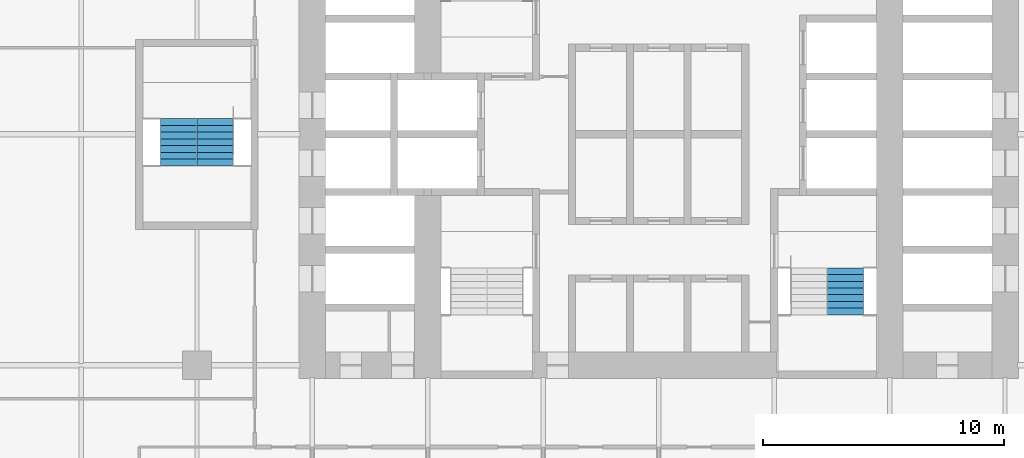
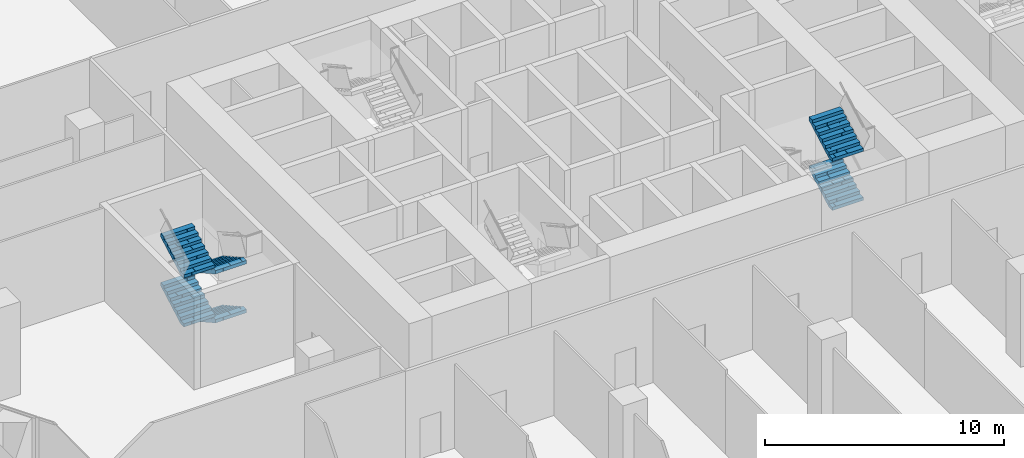
# One storey, part 25 of 29: 6 stair flights, 2 elements without a shape of their own.
"""IFC4 building model written with IfcOpenShell, lengths in metres."""

import ifcopenshell
import ifcopenshell.guid

model = None  # the IFC model being written
_history = None  # IfcOwnerHistory: only IFC2X3 demands one
_inside = {}  # id of a spatial element -> (the spatial element, [elements in it])
_under = {}  # id of a project, library or spatial element -> (it, [spatial elements below it])
_declared = {}  # id of a project -> (the project, [libraries it declares])
_typed = {}  # id of a type object -> (the type object, [elements of that type])
_made_of = {}  # id of a material, layer set ... -> (it, [elements and type objects made of it])


def new_model(schema):
    """Start an empty IFC model of exactly this schema.

    Asked for "IFC4X3", IfcOpenShell would pick the latest addendum, in which some entities
    have other attributes; the version numbers below select the first issue.
    IFC2X3 requires an IfcOwnerHistory on every rooted entity: one is made here for all.
    """
    global model, _history
    if schema == "IFC4X3":
        model = ifcopenshell.file(schema_version=(4, 3, 0, 0))
    else:
        model = ifcopenshell.file(schema=schema)
    _inside.clear()
    _under.clear()
    _declared.clear()
    _typed.clear()
    _made_of.clear()
    _history = None
    if model.schema == "IFC2X3":
        org = make("IfcOrganization", Name="unknown")
        user = make(
            "IfcPersonAndOrganization",
            ThePerson=make("IfcPerson", FamilyName="unknown"),
            TheOrganization=org,
        )
        app = make(
            "IfcApplication",
            ApplicationDeveloper=org,
            Version="unknown",
            ApplicationFullName="unknown",
            ApplicationIdentifier="unknown",
        )
        _history = make(
            "IfcOwnerHistory",
            OwningUser=user,
            OwningApplication=app,
            ChangeAction="ADDED",
            CreationDate=0,
        )
    return model


def make(cls, **values):
    """One entity of the class cls with the attributes given. An attribute that is None is left unset."""
    return model.create_entity(
        cls, **{name: value for name, value in values.items() if value is not None}
    )


def rooted(cls, **values):
    """An entity with a GlobalId (a new one), such as an element, a storey or a relation."""
    return make(cls, GlobalId=ifcopenshell.guid.new(), OwnerHistory=_history, **values)


def si_unit(unit_type, name, prefix=None):
    """IfcSIUnit, for example si_unit("LENGTHUNIT", "METRE", prefix="MILLI")."""
    return make("IfcSIUnit", UnitType=unit_type, Prefix=prefix, Name=name)


def assignment(units):
    """IfcUnitAssignment: the units of a project."""
    return None if units is None else make("IfcUnitAssignment", Units=units)


def point(xyz):
    """IfcCartesianPoint."""
    return None if xyz is None else make("IfcCartesianPoint", Coordinates=xyz)


def direction(xyz):
    """IfcDirection."""
    return None if xyz is None else make("IfcDirection", DirectionRatios=xyz)


def frame(location, z_axis=None, x_axis=None):
    """IfcAxis2Placement3D, a coordinate frame: its origin and axes. An axis left out is left unset."""
    return make(
        "IfcAxis2Placement3D",
        Location=point(location),
        Axis=direction(z_axis),
        RefDirection=direction(x_axis),
    )


def origin():
    """The frame at (0, 0, 0) with its axes left unset."""
    return frame((0.0, 0.0, 0.0))


def place(relative_to, where):
    """IfcLocalPlacement: puts the frame where relative to a parent placement (None: the world)."""
    return make(
        "IfcLocalPlacement", PlacementRelTo=relative_to, RelativePlacement=where
    )


def context(
    kind, dimensions, precision=None, world=None, true_north=None, identifier=None
):
    """IfcGeometricRepresentationContext, for example the 3D "Model" context."""
    return make(
        "IfcGeometricRepresentationContext",
        ContextIdentifier=identifier,
        ContextType=kind,
        CoordinateSpaceDimension=dimensions,
        Precision=precision,
        WorldCoordinateSystem=world,
        TrueNorth=true_north,
    )


def subcontext(parent, identifier, kind, view, scale=None):
    """IfcGeometricRepresentationSubContext, for example "Body" below "Model"."""
    return make(
        "IfcGeometricRepresentationSubContext",
        ContextIdentifier=identifier,
        ContextType=kind,
        ParentContext=parent,
        TargetScale=scale,
        TargetView=view,
    )


def project(units=None, contexts=None):
    """IfcProject with its units and contexts."""
    return rooted(
        "IfcProject",
        Name="project",
        RepresentationContexts=contexts,
        UnitsInContext=assignment(units),
    )


def spatial(cls, under=None, at=None, **own):
    """A site, building, storey or space (cls), placed at a placement, below another one or the project."""
    s = rooted(cls, ObjectPlacement=at, **own)
    if under is not None:
        _under.setdefault(under.id(), (under, []))[1].append(s)
    return s


def polyline(points):
    """IfcPolyline through the points."""
    return make("IfcPolyline", Points=[point(p) for p in points])


def outline(outer, holes=None, kind="AREA"):
    """IfcArbitraryClosedProfileDef: a profile drawn as a closed curve; with holes, ...WithVoids."""
    if holes is None:
        return make("IfcArbitraryClosedProfileDef", ProfileType=kind, OuterCurve=outer)
    return make(
        "IfcArbitraryProfileDefWithVoids",
        ProfileType=kind,
        OuterCurve=outer,
        InnerCurves=holes,
    )


def extrude(swept, where, along, depth):
    """IfcExtrudedAreaSolid: the profile swept, set in the frame where, extruded along a direction by depth."""
    return make(
        "IfcExtrudedAreaSolid",
        SweptArea=swept,
        Position=where,
        ExtrudedDirection=direction(along),
        Depth=depth,
    )


def shape(context_of_items, identifier, shape_type, items):
    """IfcShapeRepresentation: the items that make up one representation, for example the "Body"."""
    return make(
        "IfcShapeRepresentation",
        ContextOfItems=context_of_items,
        RepresentationIdentifier=identifier,
        RepresentationType=shape_type,
        Items=items,
    )


def material(Name=None, Category=None):
    """IfcMaterial."""
    return make("IfcMaterial", Name=Name, Category=Category)


def made_of(thing, what):
    """Note that an element or type object is made of a material, layer set ...; save() writes the relation."""
    if what is not None:
        _made_of.setdefault(what.id(), (what, []))[1].append(thing)
    return thing


def type_object(cls, material=None, **own):
    """A type object (cls), such as IfcWallType, which elements share."""
    return made_of(rooted(cls, **own), material)


def element(
    cls,
    number,
    at=None,
    inside=None,
    cuts=None,
    type_object=None,
    material=None,
    context=None,
    identifier="Body",
    shape_type=None,
    held_by="IfcProductDefinitionShape",
    body=None,
    shapes=None,
    **own,
):
    """One element of the class cls, such as IfcWall. Its Tag is "e" and its number.

    at: its placement. inside: the storey or other place that contains it. cuts: it is an
    opening in that element (IfcRelVoidsElement). A single representation is given by context,
    identifier, shape_type and body (its items); several are given by shapes. held_by: the class
    of the entity that holds the representations. save() writes the other relations.
    """
    e = rooted(cls, Tag="e%d" % number, ObjectPlacement=at, **own)
    if body is not None:
        shapes = [shape(context, identifier, shape_type, body)]
    if shapes is not None:
        e.Representation = make(held_by, Representations=shapes)
    if inside is not None:
        _inside.setdefault(inside.id(), (inside, []))[1].append(e)
    if cuts is not None:
        rooted(
            "IfcRelVoidsElement", RelatingBuildingElement=cuts, RelatedOpeningElement=e
        )
    if type_object is not None:
        _typed.setdefault(type_object.id(), (type_object, []))[1].append(e)
    return made_of(e, material)


def aggregate(whole, parts):
    """IfcRelAggregates: a whole, such as a stair, and the parts it consists of."""
    return rooted("IfcRelAggregates", RelatingObject=whole, RelatedObjects=parts)


def save(model, path):
    """Write the relations noted so far, then the file.

    IfcRelAggregates (storeys below a building ...), IfcRelContainedInSpatialStructure (elements
    in a storey), IfcRelDefinesByType, IfcRelAssociatesMaterial and IfcRelDeclares: one each for
    every whole, place, type object, material and project.
    """
    for whole, parts in _under.values():
        aggregate(whole, parts)
    for where, things in _inside.values():
        rooted(
            "IfcRelContainedInSpatialStructure",
            RelatedElements=things,
            RelatingStructure=where,
        )
    for kind, things in _typed.values():
        rooted("IfcRelDefinesByType", RelatedObjects=things, RelatingType=kind)
    for what, things in _made_of.values():
        rooted("IfcRelAssociatesMaterial", RelatedObjects=things, RelatingMaterial=what)
    for by, libraries in _declared.values():
        rooted("IfcRelDeclares", RelatingContext=by, RelatedDefinitions=libraries)
    model.write(path)


model = new_model("IFC4")

# Units and contexts
model_context = context("Model", 3, precision=1e-05, world=origin(), true_north=direction((0.0, 1.0)))
body_context = subcontext(model_context, "Body", "Model", "MODEL_VIEW")
ifc_project = project(units=[si_unit("LENGTHUNIT", "METRE"), si_unit("AREAUNIT", "SQUARE_METRE"), si_unit("VOLUMEUNIT", "CUBIC_METRE"), si_unit("PLANEANGLEUNIT", "RADIAN"), si_unit("MASSUNIT", "GRAM", prefix="KILO")], contexts=[model_context])

# Site, building, storey
site_placement = place(None, origin())
site = spatial("IfcSite", under=ifc_project, at=site_placement, CompositionType="ELEMENT")
building_placement = place(site_placement, origin())
building = spatial("IfcBuilding", under=site, at=building_placement, Name="Kolab Exchange Tower", CompositionType="ELEMENT")
storey_placement = place(building_placement, frame((0.0, 0.0, 17.39990234375)))
storey = spatial("IfcBuildingStorey", under=building, at=storey_placement, Name="L03", CompositionType="ELEMENT", Elevation=17.39990234375)

# Stair, stair flights
ifc_material = material(Name="Concrete C50/60", Category="concrete")
stair_type_1 = type_object("IfcStairType", Name="STAIR ST2 RISER 156.2", PredefinedType="DOUBLE_RETURN_STAIR", material=ifc_material)
stair_1_placement = place(storey_placement, origin())
stair_1 = element("IfcStair", 1, at=stair_1_placement, inside=storey, type_object=stair_type_1, Name="Stair 2", PredefinedType="DOUBLE_RETURN_STAIR")
stair_flight_type = type_object("IfcStairFlightType", Name="STAIR FLIGHT 1500 RISER 156.2", PredefinedType="STRAIGHT", material=ifc_material)
stair_flight_1_placement = place(storey_placement, frame((7.760009765625, -7.510009765625, 1.25), z_axis=(0.0, 0.0, 1.0), x_axis=(0.0, 1.0, 0.0)))
stair_flight_1 = element("IfcStairFlight", 2, at=stair_flight_1_placement, type_object=stair_flight_type, Name="ST2 flight 2", NumberOfRisers=8, NumberOfTreads=7, PredefinedType="STRAIGHT", RiserHeight=0.15625, TreadLength=0.28, context=body_context, shape_type="SweptSolid", body=[
    extrude(outline(polyline([(0.0, 0.0), (0.0, 0.15625), (0.280029296875, 0.15625), (0.280029296875, 0.3125), (0.56005859375, 0.3125), (0.56005859375, 0.46875), (0.840087890625, 0.46875), (0.840087890625, 0.625), (1.1201171875, 0.625), (1.1201171875, 0.78125), (1.39990234375, 0.78125), (1.39990234375, 0.9375), (1.679931640625, 0.9375), (1.679931640625, 1.09375), (1.9599609375, 1.09375), (1.9599609375, 1.25), (1.9599609375, 0.922119140625), (0.3076171875, 0.0), (0.0, 0.0)])), frame((0.0, 0.75, 0.0), z_axis=(0.0, -1.0, 0.0), x_axis=(1.0, 0.0, 0.0)), (0.0, 0.0, 1.0), 0.185791015625),
    extrude(outline(polyline([(0.0, 0.0), (0.0, 0.15625), (0.280029296875, 0.15625), (0.280029296875, 0.3125), (0.56005859375, 0.3125), (0.56005859375, 0.46875), (0.840087890625, 0.46875), (0.840087890625, 0.625), (1.1201171875, 0.625), (1.1201171875, 0.78125), (1.39990234375, 0.78125), (1.39990234375, 0.9375), (1.679931640625, 0.9375), (1.679931640625, 1.09375), (1.9599609375, 1.09375), (1.9599609375, 1.25), (1.9599609375, 0.922119140625), (0.3076171875, 0.0), (0.0, 0.0)])), frame((0.0, 0.562255859375, 0.0), z_axis=(0.0, -1.0, 0.0), x_axis=(1.0, 0.0, 0.0)), (0.0, 0.0, 1.0), 0.185791015625),
    extrude(outline(polyline([(0.0, 0.0), (0.0, 0.15625), (0.280029296875, 0.15625), (0.280029296875, 0.3125), (0.56005859375, 0.3125), (0.56005859375, 0.46875), (0.840087890625, 0.46875), (0.840087890625, 0.625), (1.1201171875, 0.625), (1.1201171875, 0.78125), (1.39990234375, 0.78125), (1.39990234375, 0.9375), (1.679931640625, 0.9375), (1.679931640625, 1.09375), (1.9599609375, 1.09375), (1.9599609375, 1.25), (1.9599609375, 0.922119140625), (0.3076171875, 0.0), (0.0, 0.0)])), frame((0.0, 0.37451171875, 0.0), z_axis=(0.0, -1.0, 0.0), x_axis=(1.0, 0.0, 0.0)), (0.0, 0.0, 1.0), 0.185791015625),
    extrude(outline(polyline([(0.0, 0.0), (0.0, 0.15625), (0.280029296875, 0.15625), (0.280029296875, 0.3125), (0.56005859375, 0.3125), (0.56005859375, 0.46875), (0.840087890625, 0.46875), (0.840087890625, 0.625), (1.1201171875, 0.625), (1.1201171875, 0.78125), (1.39990234375, 0.78125), (1.39990234375, 0.9375), (1.679931640625, 0.9375), (1.679931640625, 1.09375), (1.9599609375, 1.09375), (1.9599609375, 1.25), (1.9599609375, 0.922119140625), (0.3076171875, 0.0), (0.0, 0.0)])), frame((0.0, 0.186767578125, 0.0), z_axis=(0.0, -1.0, 0.0), x_axis=(1.0, 0.0, 0.0)), (0.0, 0.0, 1.0), 0.185791015625),
    extrude(outline(polyline([(0.0, 0.0), (0.0, 0.15625), (0.280029296875, 0.15625), (0.280029296875, 0.3125), (0.56005859375, 0.3125), (0.56005859375, 0.46875), (0.840087890625, 0.46875), (0.840087890625, 0.625), (1.1201171875, 0.625), (1.1201171875, 0.78125), (1.39990234375, 0.78125), (1.39990234375, 0.9375), (1.679931640625, 0.9375), (1.679931640625, 1.09375), (1.9599609375, 1.09375), (1.9599609375, 1.25), (1.9599609375, 0.922119140625), (0.3076171875, 0.0), (0.0, 0.0)])), frame((0.0, -0.0009765625, 0.0), z_axis=(0.0, -1.0, 0.0), x_axis=(1.0, 0.0, 0.0)), (0.0, 0.0, 1.0), 0.185791015625),
    extrude(outline(polyline([(0.0, 0.0), (0.0, 0.15625), (0.280029296875, 0.15625), (0.280029296875, 0.3125), (0.56005859375, 0.3125), (0.56005859375, 0.46875), (0.840087890625, 0.46875), (0.840087890625, 0.625), (1.1201171875, 0.625), (1.1201171875, 0.78125), (1.39990234375, 0.78125), (1.39990234375, 0.9375), (1.679931640625, 0.9375), (1.679931640625, 1.09375), (1.9599609375, 1.09375), (1.9599609375, 1.25), (1.9599609375, 0.922119140625), (0.3076171875, 0.0), (0.0, 0.0)])), frame((0.0, -0.188720703125, 0.0), z_axis=(0.0, -1.0, 0.0), x_axis=(1.0, 0.0, 0.0)), (0.0, 0.0, 1.0), 0.185791015625),
    extrude(outline(polyline([(0.0, 0.0), (0.0, 0.15625), (0.280029296875, 0.15625), (0.280029296875, 0.3125), (0.56005859375, 0.3125), (0.56005859375, 0.46875), (0.840087890625, 0.46875), (0.840087890625, 0.625), (1.1201171875, 0.625), (1.1201171875, 0.78125), (1.39990234375, 0.78125), (1.39990234375, 0.9375), (1.679931640625, 0.9375), (1.679931640625, 1.09375), (1.9599609375, 1.09375), (1.9599609375, 1.25), (1.9599609375, 0.922119140625), (0.3076171875, 0.0), (0.0, 0.0)])), frame((0.0, -0.37646484375, 0.0), z_axis=(0.0, -1.0, 0.0), x_axis=(1.0, 0.0, 0.0)), (0.0, 0.0, 1.0), 0.185791015625),
    extrude(outline(polyline([(0.0, 0.0), (0.0, 0.15625), (0.280029296875, 0.15625), (0.280029296875, 0.3125), (0.56005859375, 0.3125), (0.56005859375, 0.46875), (0.840087890625, 0.46875), (0.840087890625, 0.625), (1.1201171875, 0.625), (1.1201171875, 0.78125), (1.39990234375, 0.78125), (1.39990234375, 0.9375), (1.679931640625, 0.9375), (1.679931640625, 1.09375), (1.9599609375, 1.09375), (1.9599609375, 1.25), (1.9599609375, 0.922119140625), (0.3076171875, 0.0), (0.0, 0.0)])), frame((0.0, -0.564208984375, 0.0), z_axis=(0.0, -1.0, 0.0), x_axis=(1.0, 0.0, 0.0)), (0.0, 0.0, 1.0), 0.185791015625),
])
stair_flight_2_placement = place(storey_placement, frame((7.760009765625, -7.510009765625, 3.75), z_axis=(0.0, 0.0, 1.0), x_axis=(0.0, 1.0, 0.0)))
stair_flight_2 = element("IfcStairFlight", 3, at=stair_flight_2_placement, type_object=stair_flight_type, Name="ST2 flight 4", NumberOfRisers=8, NumberOfTreads=7, PredefinedType="STRAIGHT", RiserHeight=0.15625, TreadLength=0.28, context=body_context, shape_type="SweptSolid", body=[
    extrude(outline(polyline([(0.0, 0.0), (0.0, 0.15625), (0.280029296875, 0.15625), (0.280029296875, 0.3125), (0.56005859375, 0.3125), (0.56005859375, 0.46875), (0.840087890625, 0.46875), (0.840087890625, 0.625), (1.1201171875, 0.625), (1.1201171875, 0.78125), (1.39990234375, 0.78125), (1.39990234375, 0.9375), (1.679931640625, 0.9375), (1.679931640625, 1.09375), (1.9599609375, 1.09375), (1.9599609375, 1.25), (1.9599609375, 0.922119140625), (0.3076171875, 0.0), (0.0, 0.0)])), frame((0.0, 0.75, 0.0), z_axis=(0.0, -1.0, 0.0), x_axis=(1.0, 0.0, 0.0)), (0.0, 0.0, 1.0), 0.185791015625),
    extrude(outline(polyline([(0.0, 0.0), (0.0, 0.15625), (0.280029296875, 0.15625), (0.280029296875, 0.3125), (0.56005859375, 0.3125), (0.56005859375, 0.46875), (0.840087890625, 0.46875), (0.840087890625, 0.625), (1.1201171875, 0.625), (1.1201171875, 0.78125), (1.39990234375, 0.78125), (1.39990234375, 0.9375), (1.679931640625, 0.9375), (1.679931640625, 1.09375), (1.9599609375, 1.09375), (1.9599609375, 1.25), (1.9599609375, 0.922119140625), (0.3076171875, 0.0), (0.0, 0.0)])), frame((0.0, 0.562255859375, 0.0), z_axis=(0.0, -1.0, 0.0), x_axis=(1.0, 0.0, 0.0)), (0.0, 0.0, 1.0), 0.185791015625),
    extrude(outline(polyline([(0.0, 0.0), (0.0, 0.15625), (0.280029296875, 0.15625), (0.280029296875, 0.3125), (0.56005859375, 0.3125), (0.56005859375, 0.46875), (0.840087890625, 0.46875), (0.840087890625, 0.625), (1.1201171875, 0.625), (1.1201171875, 0.78125), (1.39990234375, 0.78125), (1.39990234375, 0.9375), (1.679931640625, 0.9375), (1.679931640625, 1.09375), (1.9599609375, 1.09375), (1.9599609375, 1.25), (1.9599609375, 0.922119140625), (0.3076171875, 0.0), (0.0, 0.0)])), frame((0.0, 0.37451171875, 0.0), z_axis=(0.0, -1.0, 0.0), x_axis=(1.0, 0.0, 0.0)), (0.0, 0.0, 1.0), 0.185791015625),
    extrude(outline(polyline([(0.0, 0.0), (0.0, 0.15625), (0.280029296875, 0.15625), (0.280029296875, 0.3125), (0.56005859375, 0.3125), (0.56005859375, 0.46875), (0.840087890625, 0.46875), (0.840087890625, 0.625), (1.1201171875, 0.625), (1.1201171875, 0.78125), (1.39990234375, 0.78125), (1.39990234375, 0.9375), (1.679931640625, 0.9375), (1.679931640625, 1.09375), (1.9599609375, 1.09375), (1.9599609375, 1.25), (1.9599609375, 0.922119140625), (0.3076171875, 0.0), (0.0, 0.0)])), frame((0.0, 0.186767578125, 0.0), z_axis=(0.0, -1.0, 0.0), x_axis=(1.0, 0.0, 0.0)), (0.0, 0.0, 1.0), 0.185791015625),
    extrude(outline(polyline([(0.0, 0.0), (0.0, 0.15625), (0.280029296875, 0.15625), (0.280029296875, 0.3125), (0.56005859375, 0.3125), (0.56005859375, 0.46875), (0.840087890625, 0.46875), (0.840087890625, 0.625), (1.1201171875, 0.625), (1.1201171875, 0.78125), (1.39990234375, 0.78125), (1.39990234375, 0.9375), (1.679931640625, 0.9375), (1.679931640625, 1.09375), (1.9599609375, 1.09375), (1.9599609375, 1.25), (1.9599609375, 0.922119140625), (0.3076171875, 0.0), (0.0, 0.0)])), frame((0.0, -0.0009765625, 0.0), z_axis=(0.0, -1.0, 0.0), x_axis=(1.0, 0.0, 0.0)), (0.0, 0.0, 1.0), 0.185791015625),
    extrude(outline(polyline([(0.0, 0.0), (0.0, 0.15625), (0.280029296875, 0.15625), (0.280029296875, 0.3125), (0.56005859375, 0.3125), (0.56005859375, 0.46875), (0.840087890625, 0.46875), (0.840087890625, 0.625), (1.1201171875, 0.625), (1.1201171875, 0.78125), (1.39990234375, 0.78125), (1.39990234375, 0.9375), (1.679931640625, 0.9375), (1.679931640625, 1.09375), (1.9599609375, 1.09375), (1.9599609375, 1.25), (1.9599609375, 0.922119140625), (0.3076171875, 0.0), (0.0, 0.0)])), frame((0.0, -0.188720703125, 0.0), z_axis=(0.0, -1.0, 0.0), x_axis=(1.0, 0.0, 0.0)), (0.0, 0.0, 1.0), 0.185791015625),
    extrude(outline(polyline([(0.0, 0.0), (0.0, 0.15625), (0.280029296875, 0.15625), (0.280029296875, 0.3125), (0.56005859375, 0.3125), (0.56005859375, 0.46875), (0.840087890625, 0.46875), (0.840087890625, 0.625), (1.1201171875, 0.625), (1.1201171875, 0.78125), (1.39990234375, 0.78125), (1.39990234375, 0.9375), (1.679931640625, 0.9375), (1.679931640625, 1.09375), (1.9599609375, 1.09375), (1.9599609375, 1.25), (1.9599609375, 0.922119140625), (0.3076171875, 0.0), (0.0, 0.0)])), frame((0.0, -0.37646484375, 0.0), z_axis=(0.0, -1.0, 0.0), x_axis=(1.0, 0.0, 0.0)), (0.0, 0.0, 1.0), 0.185791015625),
    extrude(outline(polyline([(0.0, 0.0), (0.0, 0.15625), (0.280029296875, 0.15625), (0.280029296875, 0.3125), (0.56005859375, 0.3125), (0.56005859375, 0.46875), (0.840087890625, 0.46875), (0.840087890625, 0.625), (1.1201171875, 0.625), (1.1201171875, 0.78125), (1.39990234375, 0.78125), (1.39990234375, 0.9375), (1.679931640625, 0.9375), (1.679931640625, 1.09375), (1.9599609375, 1.09375), (1.9599609375, 1.25), (1.9599609375, 0.922119140625), (0.3076171875, 0.0), (0.0, 0.0)])), frame((0.0, -0.564208984375, 0.0), z_axis=(0.0, -1.0, 0.0), x_axis=(1.0, 0.0, 0.0)), (0.0, 0.0, 1.0), 0.185791015625),
])
aggregate(stair_1, [stair_flight_1, stair_flight_2])

stair_type_2 = type_object("IfcStairType", Name="STAIR ST5 RISER 156.2", PredefinedType="DOUBLE_RETURN_STAIR", material=ifc_material)
stair_2_placement = place(storey_placement, origin())
stair_2 = element("IfcStair", 4, at=stair_2_placement, inside=storey, type_object=stair_type_2, Name="Stair 5", PredefinedType="DOUBLE_RETURN_STAIR")
stair_flight_3_placement = place(storey_placement, frame((-18.43994140625, 0.64990234375, 0.0), z_axis=(0.0, 0.0, 1.0), x_axis=(0.0, -1.0, 0.0)))
stair_flight_3 = element("IfcStairFlight", 5, at=stair_flight_3_placement, type_object=stair_flight_type, Name="ST5 flight 1", NumberOfRisers=8, NumberOfTreads=7, PredefinedType="STRAIGHT", RiserHeight=0.15625, TreadLength=0.28, context=body_context, shape_type="SweptSolid", body=[
    extrude(outline(polyline([(0.0, 0.0), (0.0, 0.15625), (0.280029296875, 0.15625), (0.280029296875, 0.3125), (0.56005859375, 0.3125), (0.56005859375, 0.46875), (0.840087890625, 0.46875), (0.840087890625, 0.625), (1.1201171875, 0.625), (1.1201171875, 0.78125), (1.39990234375, 0.78125), (1.39990234375, 0.9375), (1.679931640625, 0.9375), (1.679931640625, 1.09375), (1.9599609375, 1.09375), (1.9599609375, 1.25), (1.9599609375, 0.922119140625), (0.3076171875, 0.0), (0.0, 0.0)])), frame((0.0, 0.75, 0.0), z_axis=(0.0, -1.0, 0.0), x_axis=(1.0, 0.0, 0.0)), (0.0, 0.0, 1.0), 0.185791015625),
    extrude(outline(polyline([(0.0, 0.0), (0.0, 0.15625), (0.280029296875, 0.15625), (0.280029296875, 0.3125), (0.56005859375, 0.3125), (0.56005859375, 0.46875), (0.840087890625, 0.46875), (0.840087890625, 0.625), (1.1201171875, 0.625), (1.1201171875, 0.78125), (1.39990234375, 0.78125), (1.39990234375, 0.9375), (1.679931640625, 0.9375), (1.679931640625, 1.09375), (1.9599609375, 1.09375), (1.9599609375, 1.25), (1.9599609375, 0.922119140625), (0.3076171875, 0.0), (0.0, 0.0)])), frame((0.0, 0.562255859375, 0.0), z_axis=(0.0, -1.0, 0.0), x_axis=(1.0, 0.0, 0.0)), (0.0, 0.0, 1.0), 0.185791015625),
    extrude(outline(polyline([(0.0, 0.0), (0.0, 0.15625), (0.280029296875, 0.15625), (0.280029296875, 0.3125), (0.56005859375, 0.3125), (0.56005859375, 0.46875), (0.840087890625, 0.46875), (0.840087890625, 0.625), (1.1201171875, 0.625), (1.1201171875, 0.78125), (1.39990234375, 0.78125), (1.39990234375, 0.9375), (1.679931640625, 0.9375), (1.679931640625, 1.09375), (1.9599609375, 1.09375), (1.9599609375, 1.25), (1.9599609375, 0.922119140625), (0.3076171875, 0.0), (0.0, 0.0)])), frame((0.0, 0.37451171875, 0.0), z_axis=(0.0, -1.0, 0.0), x_axis=(1.0, 0.0, 0.0)), (0.0, 0.0, 1.0), 0.185791015625),
    extrude(outline(polyline([(0.0, 0.0), (0.0, 0.15625), (0.280029296875, 0.15625), (0.280029296875, 0.3125), (0.56005859375, 0.3125), (0.56005859375, 0.46875), (0.840087890625, 0.46875), (0.840087890625, 0.625), (1.1201171875, 0.625), (1.1201171875, 0.78125), (1.39990234375, 0.78125), (1.39990234375, 0.9375), (1.679931640625, 0.9375), (1.679931640625, 1.09375), (1.9599609375, 1.09375), (1.9599609375, 1.25), (1.9599609375, 0.922119140625), (0.3076171875, 0.0), (0.0, 0.0)])), frame((0.0, 0.186767578125, 0.0), z_axis=(0.0, -1.0, 0.0), x_axis=(1.0, 0.0, 0.0)), (0.0, 0.0, 1.0), 0.185791015625),
    extrude(outline(polyline([(0.0, 0.0), (0.0, 0.15625), (0.280029296875, 0.15625), (0.280029296875, 0.3125), (0.56005859375, 0.3125), (0.56005859375, 0.46875), (0.840087890625, 0.46875), (0.840087890625, 0.625), (1.1201171875, 0.625), (1.1201171875, 0.78125), (1.39990234375, 0.78125), (1.39990234375, 0.9375), (1.679931640625, 0.9375), (1.679931640625, 1.09375), (1.9599609375, 1.09375), (1.9599609375, 1.25), (1.9599609375, 0.922119140625), (0.3076171875, 0.0), (0.0, 0.0)])), frame((0.0, -0.0009765625, 0.0), z_axis=(0.0, -1.0, 0.0), x_axis=(1.0, 0.0, 0.0)), (0.0, 0.0, 1.0), 0.185791015625),
    extrude(outline(polyline([(0.0, 0.0), (0.0, 0.15625), (0.280029296875, 0.15625), (0.280029296875, 0.3125), (0.56005859375, 0.3125), (0.56005859375, 0.46875), (0.840087890625, 0.46875), (0.840087890625, 0.625), (1.1201171875, 0.625), (1.1201171875, 0.78125), (1.39990234375, 0.78125), (1.39990234375, 0.9375), (1.679931640625, 0.9375), (1.679931640625, 1.09375), (1.9599609375, 1.09375), (1.9599609375, 1.25), (1.9599609375, 0.922119140625), (0.3076171875, 0.0), (0.0, 0.0)])), frame((0.0, -0.188720703125, 0.0), z_axis=(0.0, -1.0, 0.0), x_axis=(1.0, 0.0, 0.0)), (0.0, 0.0, 1.0), 0.185791015625),
    extrude(outline(polyline([(0.0, 0.0), (0.0, 0.15625), (0.280029296875, 0.15625), (0.280029296875, 0.3125), (0.56005859375, 0.3125), (0.56005859375, 0.46875), (0.840087890625, 0.46875), (0.840087890625, 0.625), (1.1201171875, 0.625), (1.1201171875, 0.78125), (1.39990234375, 0.78125), (1.39990234375, 0.9375), (1.679931640625, 0.9375), (1.679931640625, 1.09375), (1.9599609375, 1.09375), (1.9599609375, 1.25), (1.9599609375, 0.922119140625), (0.3076171875, 0.0), (0.0, 0.0)])), frame((0.0, -0.37646484375, 0.0), z_axis=(0.0, -1.0, 0.0), x_axis=(1.0, 0.0, 0.0)), (0.0, 0.0, 1.0), 0.185791015625),
    extrude(outline(polyline([(0.0, 0.0), (0.0, 0.15625), (0.280029296875, 0.15625), (0.280029296875, 0.3125), (0.56005859375, 0.3125), (0.56005859375, 0.46875), (0.840087890625, 0.46875), (0.840087890625, 0.625), (1.1201171875, 0.625), (1.1201171875, 0.78125), (1.39990234375, 0.78125), (1.39990234375, 0.9375), (1.679931640625, 0.9375), (1.679931640625, 1.09375), (1.9599609375, 1.09375), (1.9599609375, 1.25), (1.9599609375, 0.922119140625), (0.3076171875, 0.0), (0.0, 0.0)])), frame((0.0, -0.564208984375, 0.0), z_axis=(0.0, -1.0, 0.0), x_axis=(1.0, 0.0, 0.0)), (0.0, 0.0, 1.0), 0.185791015625),
])
stair_flight_4_placement = place(storey_placement, frame((-19.9599609375, -1.31005859375, 1.25), z_axis=(0.0, 0.0, 1.0), x_axis=(0.0, 1.0, 0.0)))
stair_flight_4 = element("IfcStairFlight", 6, at=stair_flight_4_placement, type_object=stair_flight_type, Name="ST5 flight 2", NumberOfRisers=8, NumberOfTreads=7, PredefinedType="STRAIGHT", RiserHeight=0.15625, TreadLength=0.28, context=body_context, shape_type="SweptSolid", body=[
    extrude(outline(polyline([(0.0, 0.0), (0.0, 0.15625), (0.280029296875, 0.15625), (0.280029296875, 0.3125), (0.56005859375, 0.3125), (0.56005859375, 0.46875), (0.840087890625, 0.46875), (0.840087890625, 0.625), (1.1201171875, 0.625), (1.1201171875, 0.78125), (1.39990234375, 0.78125), (1.39990234375, 0.9375), (1.679931640625, 0.9375), (1.679931640625, 1.09375), (1.9599609375, 1.09375), (1.9599609375, 1.25), (1.9599609375, 0.922119140625), (0.3076171875, 0.0), (0.0, 0.0)])), frame((0.0, 0.75, 0.0), z_axis=(0.0, -1.0, 0.0), x_axis=(1.0, 0.0, 0.0)), (0.0, 0.0, 1.0), 0.185791015625),
    extrude(outline(polyline([(0.0, 0.0), (0.0, 0.15625), (0.280029296875, 0.15625), (0.280029296875, 0.3125), (0.56005859375, 0.3125), (0.56005859375, 0.46875), (0.840087890625, 0.46875), (0.840087890625, 0.625), (1.1201171875, 0.625), (1.1201171875, 0.78125), (1.39990234375, 0.78125), (1.39990234375, 0.9375), (1.679931640625, 0.9375), (1.679931640625, 1.09375), (1.9599609375, 1.09375), (1.9599609375, 1.25), (1.9599609375, 0.922119140625), (0.3076171875, 0.0), (0.0, 0.0)])), frame((0.0, 0.562255859375, 0.0), z_axis=(0.0, -1.0, 0.0), x_axis=(1.0, 0.0, 0.0)), (0.0, 0.0, 1.0), 0.185791015625),
    extrude(outline(polyline([(0.0, 0.0), (0.0, 0.15625), (0.280029296875, 0.15625), (0.280029296875, 0.3125), (0.56005859375, 0.3125), (0.56005859375, 0.46875), (0.840087890625, 0.46875), (0.840087890625, 0.625), (1.1201171875, 0.625), (1.1201171875, 0.78125), (1.39990234375, 0.78125), (1.39990234375, 0.9375), (1.679931640625, 0.9375), (1.679931640625, 1.09375), (1.9599609375, 1.09375), (1.9599609375, 1.25), (1.9599609375, 0.922119140625), (0.3076171875, 0.0), (0.0, 0.0)])), frame((0.0, 0.37451171875, 0.0), z_axis=(0.0, -1.0, 0.0), x_axis=(1.0, 0.0, 0.0)), (0.0, 0.0, 1.0), 0.185791015625),
    extrude(outline(polyline([(0.0, 0.0), (0.0, 0.15625), (0.280029296875, 0.15625), (0.280029296875, 0.3125), (0.56005859375, 0.3125), (0.56005859375, 0.46875), (0.840087890625, 0.46875), (0.840087890625, 0.625), (1.1201171875, 0.625), (1.1201171875, 0.78125), (1.39990234375, 0.78125), (1.39990234375, 0.9375), (1.679931640625, 0.9375), (1.679931640625, 1.09375), (1.9599609375, 1.09375), (1.9599609375, 1.25), (1.9599609375, 0.922119140625), (0.3076171875, 0.0), (0.0, 0.0)])), frame((0.0, 0.186767578125, 0.0), z_axis=(0.0, -1.0, 0.0), x_axis=(1.0, 0.0, 0.0)), (0.0, 0.0, 1.0), 0.185791015625),
    extrude(outline(polyline([(0.0, 0.0), (0.0, 0.15625), (0.280029296875, 0.15625), (0.280029296875, 0.3125), (0.56005859375, 0.3125), (0.56005859375, 0.46875), (0.840087890625, 0.46875), (0.840087890625, 0.625), (1.1201171875, 0.625), (1.1201171875, 0.78125), (1.39990234375, 0.78125), (1.39990234375, 0.9375), (1.679931640625, 0.9375), (1.679931640625, 1.09375), (1.9599609375, 1.09375), (1.9599609375, 1.25), (1.9599609375, 0.922119140625), (0.3076171875, 0.0), (0.0, 0.0)])), frame((0.0, -0.0009765625, 0.0), z_axis=(0.0, -1.0, 0.0), x_axis=(1.0, 0.0, 0.0)), (0.0, 0.0, 1.0), 0.185791015625),
    extrude(outline(polyline([(0.0, 0.0), (0.0, 0.15625), (0.280029296875, 0.15625), (0.280029296875, 0.3125), (0.56005859375, 0.3125), (0.56005859375, 0.46875), (0.840087890625, 0.46875), (0.840087890625, 0.625), (1.1201171875, 0.625), (1.1201171875, 0.78125), (1.39990234375, 0.78125), (1.39990234375, 0.9375), (1.679931640625, 0.9375), (1.679931640625, 1.09375), (1.9599609375, 1.09375), (1.9599609375, 1.25), (1.9599609375, 0.922119140625), (0.3076171875, 0.0), (0.0, 0.0)])), frame((0.0, -0.188720703125, 0.0), z_axis=(0.0, -1.0, 0.0), x_axis=(1.0, 0.0, 0.0)), (0.0, 0.0, 1.0), 0.185791015625),
    extrude(outline(polyline([(0.0, 0.0), (0.0, 0.15625), (0.280029296875, 0.15625), (0.280029296875, 0.3125), (0.56005859375, 0.3125), (0.56005859375, 0.46875), (0.840087890625, 0.46875), (0.840087890625, 0.625), (1.1201171875, 0.625), (1.1201171875, 0.78125), (1.39990234375, 0.78125), (1.39990234375, 0.9375), (1.679931640625, 0.9375), (1.679931640625, 1.09375), (1.9599609375, 1.09375), (1.9599609375, 1.25), (1.9599609375, 0.922119140625), (0.3076171875, 0.0), (0.0, 0.0)])), frame((0.0, -0.37646484375, 0.0), z_axis=(0.0, -1.0, 0.0), x_axis=(1.0, 0.0, 0.0)), (0.0, 0.0, 1.0), 0.185791015625),
    extrude(outline(polyline([(0.0, 0.0), (0.0, 0.15625), (0.280029296875, 0.15625), (0.280029296875, 0.3125), (0.56005859375, 0.3125), (0.56005859375, 0.46875), (0.840087890625, 0.46875), (0.840087890625, 0.625), (1.1201171875, 0.625), (1.1201171875, 0.78125), (1.39990234375, 0.78125), (1.39990234375, 0.9375), (1.679931640625, 0.9375), (1.679931640625, 1.09375), (1.9599609375, 1.09375), (1.9599609375, 1.25), (1.9599609375, 0.922119140625), (0.3076171875, 0.0), (0.0, 0.0)])), frame((0.0, -0.564208984375, 0.0), z_axis=(0.0, -1.0, 0.0), x_axis=(1.0, 0.0, 0.0)), (0.0, 0.0, 1.0), 0.185791015625),
])
stair_flight_5_placement = place(storey_placement, frame((-18.43994140625, 0.64990234375, 2.5), z_axis=(0.0, 0.0, 1.0), x_axis=(0.0, -1.0, 0.0)))
stair_flight_5 = element("IfcStairFlight", 7, at=stair_flight_5_placement, type_object=stair_flight_type, Name="ST5 flight 3", NumberOfRisers=8, NumberOfTreads=7, PredefinedType="STRAIGHT", RiserHeight=0.15625, TreadLength=0.28, context=body_context, shape_type="SweptSolid", body=[
    extrude(outline(polyline([(0.0, 0.0), (0.0, 0.15625), (0.280029296875, 0.15625), (0.280029296875, 0.3125), (0.56005859375, 0.3125), (0.56005859375, 0.46875), (0.840087890625, 0.46875), (0.840087890625, 0.625), (1.1201171875, 0.625), (1.1201171875, 0.78125), (1.39990234375, 0.78125), (1.39990234375, 0.9375), (1.679931640625, 0.9375), (1.679931640625, 1.09375), (1.9599609375, 1.09375), (1.9599609375, 1.25), (1.9599609375, 0.922119140625), (0.3076171875, 0.0), (0.0, 0.0)])), frame((0.0, 0.75, 0.0), z_axis=(0.0, -1.0, 0.0), x_axis=(1.0, 0.0, 0.0)), (0.0, 0.0, 1.0), 0.185791015625),
    extrude(outline(polyline([(0.0, 0.0), (0.0, 0.15625), (0.280029296875, 0.15625), (0.280029296875, 0.3125), (0.56005859375, 0.3125), (0.56005859375, 0.46875), (0.840087890625, 0.46875), (0.840087890625, 0.625), (1.1201171875, 0.625), (1.1201171875, 0.78125), (1.39990234375, 0.78125), (1.39990234375, 0.9375), (1.679931640625, 0.9375), (1.679931640625, 1.09375), (1.9599609375, 1.09375), (1.9599609375, 1.25), (1.9599609375, 0.922119140625), (0.3076171875, 0.0), (0.0, 0.0)])), frame((0.0, 0.562255859375, 0.0), z_axis=(0.0, -1.0, 0.0), x_axis=(1.0, 0.0, 0.0)), (0.0, 0.0, 1.0), 0.185791015625),
    extrude(outline(polyline([(0.0, 0.0), (0.0, 0.15625), (0.280029296875, 0.15625), (0.280029296875, 0.3125), (0.56005859375, 0.3125), (0.56005859375, 0.46875), (0.840087890625, 0.46875), (0.840087890625, 0.625), (1.1201171875, 0.625), (1.1201171875, 0.78125), (1.39990234375, 0.78125), (1.39990234375, 0.9375), (1.679931640625, 0.9375), (1.679931640625, 1.09375), (1.9599609375, 1.09375), (1.9599609375, 1.25), (1.9599609375, 0.922119140625), (0.3076171875, 0.0), (0.0, 0.0)])), frame((0.0, 0.37451171875, 0.0), z_axis=(0.0, -1.0, 0.0), x_axis=(1.0, 0.0, 0.0)), (0.0, 0.0, 1.0), 0.185791015625),
    extrude(outline(polyline([(0.0, 0.0), (0.0, 0.15625), (0.280029296875, 0.15625), (0.280029296875, 0.3125), (0.56005859375, 0.3125), (0.56005859375, 0.46875), (0.840087890625, 0.46875), (0.840087890625, 0.625), (1.1201171875, 0.625), (1.1201171875, 0.78125), (1.39990234375, 0.78125), (1.39990234375, 0.9375), (1.679931640625, 0.9375), (1.679931640625, 1.09375), (1.9599609375, 1.09375), (1.9599609375, 1.25), (1.9599609375, 0.922119140625), (0.3076171875, 0.0), (0.0, 0.0)])), frame((0.0, 0.186767578125, 0.0), z_axis=(0.0, -1.0, 0.0), x_axis=(1.0, 0.0, 0.0)), (0.0, 0.0, 1.0), 0.185791015625),
    extrude(outline(polyline([(0.0, 0.0), (0.0, 0.15625), (0.280029296875, 0.15625), (0.280029296875, 0.3125), (0.56005859375, 0.3125), (0.56005859375, 0.46875), (0.840087890625, 0.46875), (0.840087890625, 0.625), (1.1201171875, 0.625), (1.1201171875, 0.78125), (1.39990234375, 0.78125), (1.39990234375, 0.9375), (1.679931640625, 0.9375), (1.679931640625, 1.09375), (1.9599609375, 1.09375), (1.9599609375, 1.25), (1.9599609375, 0.922119140625), (0.3076171875, 0.0), (0.0, 0.0)])), frame((0.0, -0.0009765625, 0.0), z_axis=(0.0, -1.0, 0.0), x_axis=(1.0, 0.0, 0.0)), (0.0, 0.0, 1.0), 0.185791015625),
    extrude(outline(polyline([(0.0, 0.0), (0.0, 0.15625), (0.280029296875, 0.15625), (0.280029296875, 0.3125), (0.56005859375, 0.3125), (0.56005859375, 0.46875), (0.840087890625, 0.46875), (0.840087890625, 0.625), (1.1201171875, 0.625), (1.1201171875, 0.78125), (1.39990234375, 0.78125), (1.39990234375, 0.9375), (1.679931640625, 0.9375), (1.679931640625, 1.09375), (1.9599609375, 1.09375), (1.9599609375, 1.25), (1.9599609375, 0.922119140625), (0.3076171875, 0.0), (0.0, 0.0)])), frame((0.0, -0.188720703125, 0.0), z_axis=(0.0, -1.0, 0.0), x_axis=(1.0, 0.0, 0.0)), (0.0, 0.0, 1.0), 0.185791015625),
    extrude(outline(polyline([(0.0, 0.0), (0.0, 0.15625), (0.280029296875, 0.15625), (0.280029296875, 0.3125), (0.56005859375, 0.3125), (0.56005859375, 0.46875), (0.840087890625, 0.46875), (0.840087890625, 0.625), (1.1201171875, 0.625), (1.1201171875, 0.78125), (1.39990234375, 0.78125), (1.39990234375, 0.9375), (1.679931640625, 0.9375), (1.679931640625, 1.09375), (1.9599609375, 1.09375), (1.9599609375, 1.25), (1.9599609375, 0.922119140625), (0.3076171875, 0.0), (0.0, 0.0)])), frame((0.0, -0.37646484375, 0.0), z_axis=(0.0, -1.0, 0.0), x_axis=(1.0, 0.0, 0.0)), (0.0, 0.0, 1.0), 0.185791015625),
    extrude(outline(polyline([(0.0, 0.0), (0.0, 0.15625), (0.280029296875, 0.15625), (0.280029296875, 0.3125), (0.56005859375, 0.3125), (0.56005859375, 0.46875), (0.840087890625, 0.46875), (0.840087890625, 0.625), (1.1201171875, 0.625), (1.1201171875, 0.78125), (1.39990234375, 0.78125), (1.39990234375, 0.9375), (1.679931640625, 0.9375), (1.679931640625, 1.09375), (1.9599609375, 1.09375), (1.9599609375, 1.25), (1.9599609375, 0.922119140625), (0.3076171875, 0.0), (0.0, 0.0)])), frame((0.0, -0.564208984375, 0.0), z_axis=(0.0, -1.0, 0.0), x_axis=(1.0, 0.0, 0.0)), (0.0, 0.0, 1.0), 0.185791015625),
])
stair_flight_6_placement = place(storey_placement, frame((-19.9599609375, -1.31005859375, 3.75), z_axis=(0.0, 0.0, 1.0), x_axis=(0.0, 1.0, 0.0)))
stair_flight_6 = element("IfcStairFlight", 8, at=stair_flight_6_placement, type_object=stair_flight_type, Name="ST5 flight 4", NumberOfRisers=8, NumberOfTreads=7, PredefinedType="STRAIGHT", RiserHeight=0.15625, TreadLength=0.28, context=body_context, shape_type="SweptSolid", body=[
    extrude(outline(polyline([(0.0, 0.0), (0.0, 0.15625), (0.280029296875, 0.15625), (0.280029296875, 0.3125), (0.56005859375, 0.3125), (0.56005859375, 0.46875), (0.840087890625, 0.46875), (0.840087890625, 0.625), (1.1201171875, 0.625), (1.1201171875, 0.78125), (1.39990234375, 0.78125), (1.39990234375, 0.9375), (1.679931640625, 0.9375), (1.679931640625, 1.09375), (1.9599609375, 1.09375), (1.9599609375, 1.25), (1.9599609375, 0.922119140625), (0.3076171875, 0.0), (0.0, 0.0)])), frame((0.0, 0.75, 0.0), z_axis=(0.0, -1.0, 0.0), x_axis=(1.0, 0.0, 0.0)), (0.0, 0.0, 1.0), 0.185791015625),
    extrude(outline(polyline([(0.0, 0.0), (0.0, 0.15625), (0.280029296875, 0.15625), (0.280029296875, 0.3125), (0.56005859375, 0.3125), (0.56005859375, 0.46875), (0.840087890625, 0.46875), (0.840087890625, 0.625), (1.1201171875, 0.625), (1.1201171875, 0.78125), (1.39990234375, 0.78125), (1.39990234375, 0.9375), (1.679931640625, 0.9375), (1.679931640625, 1.09375), (1.9599609375, 1.09375), (1.9599609375, 1.25), (1.9599609375, 0.922119140625), (0.3076171875, 0.0), (0.0, 0.0)])), frame((0.0, 0.562255859375, 0.0), z_axis=(0.0, -1.0, 0.0), x_axis=(1.0, 0.0, 0.0)), (0.0, 0.0, 1.0), 0.185791015625),
    extrude(outline(polyline([(0.0, 0.0), (0.0, 0.15625), (0.280029296875, 0.15625), (0.280029296875, 0.3125), (0.56005859375, 0.3125), (0.56005859375, 0.46875), (0.840087890625, 0.46875), (0.840087890625, 0.625), (1.1201171875, 0.625), (1.1201171875, 0.78125), (1.39990234375, 0.78125), (1.39990234375, 0.9375), (1.679931640625, 0.9375), (1.679931640625, 1.09375), (1.9599609375, 1.09375), (1.9599609375, 1.25), (1.9599609375, 0.922119140625), (0.3076171875, 0.0), (0.0, 0.0)])), frame((0.0, 0.37451171875, 0.0), z_axis=(0.0, -1.0, 0.0), x_axis=(1.0, 0.0, 0.0)), (0.0, 0.0, 1.0), 0.185791015625),
    extrude(outline(polyline([(0.0, 0.0), (0.0, 0.15625), (0.280029296875, 0.15625), (0.280029296875, 0.3125), (0.56005859375, 0.3125), (0.56005859375, 0.46875), (0.840087890625, 0.46875), (0.840087890625, 0.625), (1.1201171875, 0.625), (1.1201171875, 0.78125), (1.39990234375, 0.78125), (1.39990234375, 0.9375), (1.679931640625, 0.9375), (1.679931640625, 1.09375), (1.9599609375, 1.09375), (1.9599609375, 1.25), (1.9599609375, 0.922119140625), (0.3076171875, 0.0), (0.0, 0.0)])), frame((0.0, 0.186767578125, 0.0), z_axis=(0.0, -1.0, 0.0), x_axis=(1.0, 0.0, 0.0)), (0.0, 0.0, 1.0), 0.185791015625),
    extrude(outline(polyline([(0.0, 0.0), (0.0, 0.15625), (0.280029296875, 0.15625), (0.280029296875, 0.3125), (0.56005859375, 0.3125), (0.56005859375, 0.46875), (0.840087890625, 0.46875), (0.840087890625, 0.625), (1.1201171875, 0.625), (1.1201171875, 0.78125), (1.39990234375, 0.78125), (1.39990234375, 0.9375), (1.679931640625, 0.9375), (1.679931640625, 1.09375), (1.9599609375, 1.09375), (1.9599609375, 1.25), (1.9599609375, 0.922119140625), (0.3076171875, 0.0), (0.0, 0.0)])), frame((0.0, -0.0009765625, 0.0), z_axis=(0.0, -1.0, 0.0), x_axis=(1.0, 0.0, 0.0)), (0.0, 0.0, 1.0), 0.185791015625),
    extrude(outline(polyline([(0.0, 0.0), (0.0, 0.15625), (0.280029296875, 0.15625), (0.280029296875, 0.3125), (0.56005859375, 0.3125), (0.56005859375, 0.46875), (0.840087890625, 0.46875), (0.840087890625, 0.625), (1.1201171875, 0.625), (1.1201171875, 0.78125), (1.39990234375, 0.78125), (1.39990234375, 0.9375), (1.679931640625, 0.9375), (1.679931640625, 1.09375), (1.9599609375, 1.09375), (1.9599609375, 1.25), (1.9599609375, 0.922119140625), (0.3076171875, 0.0), (0.0, 0.0)])), frame((0.0, -0.188720703125, 0.0), z_axis=(0.0, -1.0, 0.0), x_axis=(1.0, 0.0, 0.0)), (0.0, 0.0, 1.0), 0.185791015625),
    extrude(outline(polyline([(0.0, 0.0), (0.0, 0.15625), (0.280029296875, 0.15625), (0.280029296875, 0.3125), (0.56005859375, 0.3125), (0.56005859375, 0.46875), (0.840087890625, 0.46875), (0.840087890625, 0.625), (1.1201171875, 0.625), (1.1201171875, 0.78125), (1.39990234375, 0.78125), (1.39990234375, 0.9375), (1.679931640625, 0.9375), (1.679931640625, 1.09375), (1.9599609375, 1.09375), (1.9599609375, 1.25), (1.9599609375, 0.922119140625), (0.3076171875, 0.0), (0.0, 0.0)])), frame((0.0, -0.37646484375, 0.0), z_axis=(0.0, -1.0, 0.0), x_axis=(1.0, 0.0, 0.0)), (0.0, 0.0, 1.0), 0.185791015625),
    extrude(outline(polyline([(0.0, 0.0), (0.0, 0.15625), (0.280029296875, 0.15625), (0.280029296875, 0.3125), (0.56005859375, 0.3125), (0.56005859375, 0.46875), (0.840087890625, 0.46875), (0.840087890625, 0.625), (1.1201171875, 0.625), (1.1201171875, 0.78125), (1.39990234375, 0.78125), (1.39990234375, 0.9375), (1.679931640625, 0.9375), (1.679931640625, 1.09375), (1.9599609375, 1.09375), (1.9599609375, 1.25), (1.9599609375, 0.922119140625), (0.3076171875, 0.0), (0.0, 0.0)])), frame((0.0, -0.564208984375, 0.0), z_axis=(0.0, -1.0, 0.0), x_axis=(1.0, 0.0, 0.0)), (0.0, 0.0, 1.0), 0.185791015625),
])
aggregate(stair_2, [stair_flight_3, stair_flight_4, stair_flight_5, stair_flight_6])

save(model, "model.ifc")
